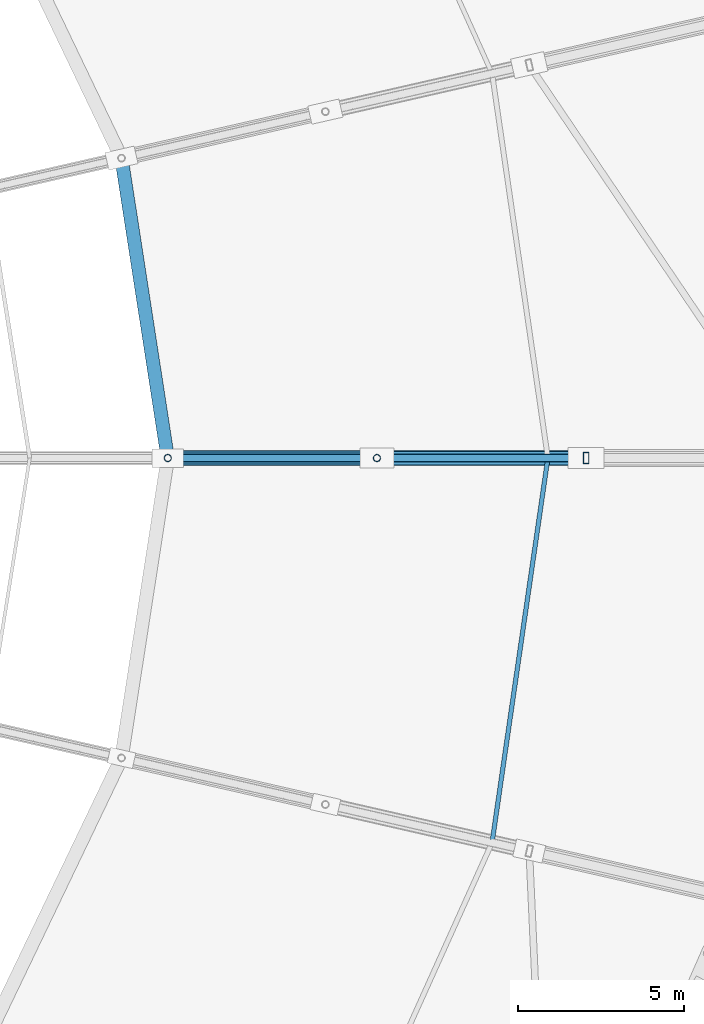
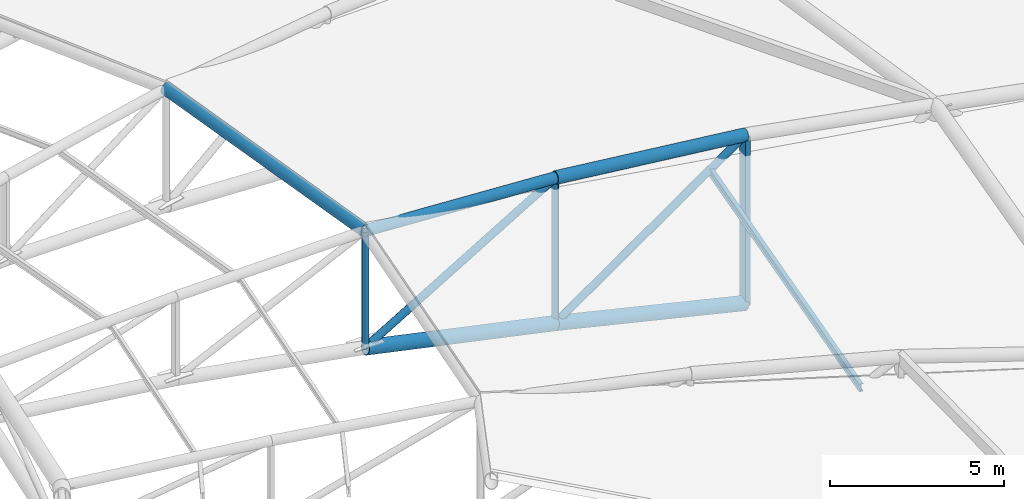
# One storey, part 71 of 108: 11 members.
"""IFC4 building model written with IfcOpenShell, lengths in metres."""

from ifc_helpers import new_model, si_unit, direction, frame, origin, origin_2d, place, context, subcontext, project, spatial, hollow_rectangle, hollow_circle, i_section, extrude, material, material_profile, profile_set, type_object, element, save


model = new_model("IFC4")

# Units and contexts
model_context = context("Model", 3, precision=1e-05, world=origin(), true_north=direction((0.0, 1.0)))
body_context = subcontext(model_context, "Body", "Model", "MODEL_VIEW")
ifc_project = project(units=[si_unit("LENGTHUNIT", "METRE"), si_unit("AREAUNIT", "SQUARE_METRE"), si_unit("VOLUMEUNIT", "CUBIC_METRE"), si_unit("PLANEANGLEUNIT", "RADIAN"), si_unit("MASSUNIT", "GRAM", prefix="KILO")], contexts=[model_context])

# Site, building, storey
site_placement = place(None, origin())
site = spatial("IfcSite", under=ifc_project, at=site_placement, CompositionType="ELEMENT")
building_placement = place(site_placement, origin())
building = spatial("IfcBuilding", under=site, at=building_placement, Name="Zevraka Park Crest Stadium", CompositionType="ELEMENT")
storey_placement = place(building_placement, frame((0.0, 0.0, 29.39990234375)))
storey = spatial("IfcBuildingStorey", under=building, at=storey_placement, Name="RF", CompositionType="ELEMENT", Elevation=29.39990234375)

# Members
ifc_material_1 = material(Name="Steel S355", Category="steel")
ifc_material_profile_1 = material_profile(ifc_material_1, i_section(OverallWidth=0.135009765625, OverallDepth=0.27001953125, WebThickness=0.006591796875, FlangeThickness=0.01025390625, at=origin_2d()), Name="IPE 270")
ifc_profile_set_1 = profile_set([ifc_material_profile_1], Name="Steel S355")
member_type_1 = type_object("IfcMemberType", Name="PR04", PredefinedType="PURLIN", material=ifc_profile_set_1)
member_1_placement = place(storey_placement, frame((177.3701171875, 80.41796875, 7.488037109375), z_axis=(0.143625982386, 0.989632041308, 0.0), x_axis=(-0.989632041308, 0.143625982386, 0.0)))
element("IfcMember", 1, at=member_1_placement, inside=storey, type_object=member_type_1, Name="Canopy Roof Purlin PR04 OUTER-28-2", PredefinedType="PURLIN", context=body_context, shape_type="SweptSolid", body=[
    extrude(i_section(OverallWidth=0.135009765625, OverallDepth=0.27001953125, WebThickness=0.006591796875, FlangeThickness=0.01025390625, at=origin_2d()), origin(), (0.0, 0.0, 1.0), 11.703369140625),
])
ifc_material_2 = material(Name="Steel S355", Category="steel")
ifc_material_profile_2 = material_profile(ifc_material_2, hollow_circle(Radius=0.228515625, WallThickness=0.02490234375, at=origin_2d()), Name="CHS 457.0x25")
ifc_profile_set_2 = profile_set([ifc_material_profile_2], Name="Steel S355")
member_type_2 = type_object("IfcMemberType", Name="TC02", PredefinedType="CHORD", material=ifc_profile_set_2)
member_2_placement = place(storey_placement, frame((180.199951171875, 92.0, 2.4501953125), z_axis=(-0.972806619173, 0.0, 0.231618828452), x_axis=(0.0, -1.0, 0.0)))
element("IfcMember", 2, at=member_2_placement, inside=storey, type_object=member_type_2, Name="Roof Truss Bottom Chord TC02 T01-4", PredefinedType="CHORD", context=body_context, shape_type="SweptSolid", body=[
    extrude(hollow_circle(Radius=0.228515625, WallThickness=0.02490234375, at=origin_2d()), origin(), (0.0, 0.0, 1.0), 6.47607421875),
])
member_3_placement = place(storey_placement, frame((173.89990234375, 92.0, 3.9501953125), z_axis=(-0.977805741195, 0.0, 0.209513561582), x_axis=(0.0, -1.0, 0.0)))
element("IfcMember", 3, at=member_3_placement, inside=storey, type_object=member_type_2, Name="Roof Truss Bottom Chord TC02 T01-5", PredefinedType="CHORD", context=body_context, shape_type="SweptSolid", body=[
    extrude(hollow_circle(Radius=0.228515625, WallThickness=0.02490234375, at=origin_2d()), origin(), (0.0, 0.0, 1.0), 6.44287109375),
])
ifc_material_3 = material(Name="Steel S355", Category="steel")
ifc_material_profile_3 = material_profile(ifc_material_3, hollow_circle(Radius=0.203125, WallThickness=0.02001953125, at=origin_2d()), Name="CHS 406.4x20")
ifc_profile_set_3 = profile_set([ifc_material_profile_3], Name="Steel S355")
member_type_3 = type_object("IfcMemberType", Name="TC03", PredefinedType="CHORD", material=ifc_profile_set_3)
member_4_placement = place(storey_placement, frame((180.199951171875, 92.0, 8.35009765625), z_axis=(-0.993884674033, 0.0, 0.110423071515), x_axis=(0.0, -1.0, 0.0)))
element("IfcMember", 4, at=member_4_placement, inside=storey, type_object=member_type_3, Name="Roof Truss Top Chord TC03 T01-4", PredefinedType="CHORD", context=body_context, shape_type="SweptSolid", body=[
    extrude(hollow_circle(Radius=0.203125, WallThickness=0.02001953125, at=origin_2d()), origin(), (0.0, 0.0, 1.0), 6.3388671875),
])
member_5_placement = place(storey_placement, frame((167.60009765625, 92.0, 9.400146484375), z_axis=(-0.152506739427, 0.98830243065, 0.0), x_axis=(-0.98830243065, -0.152506739427, 0.0)))
element("IfcMember", 5, at=member_5_placement, inside=storey, type_object=member_type_3, Name="Roof Canopy Arch Crown Ring Chord TC03 01", PredefinedType="CHORD", context=body_context, shape_type="SweptSolid", body=[
    extrude(hollow_circle(Radius=0.203125, WallThickness=0.02001953125, at=origin_2d()), origin(), (0.0, 0.0, 1.0), 9.140869140625),
])
ifc_material_4 = material(Name="Steel S355", Category="steel")
ifc_material_profile_4 = material_profile(ifc_material_4, hollow_circle(Radius=0.177734375, WallThickness=0.01611328125, at=origin_2d()), Name="CHS 355.6x16")
ifc_profile_set_4 = profile_set([ifc_material_profile_4], Name="Steel S355")
member_type_4 = type_object("IfcMemberType", Name="TC05", PredefinedType="CHORD", material=ifc_profile_set_4)
member_6_placement = place(storey_placement, frame((173.89990234375, 92.0, 9.050048828125), z_axis=(-0.998459400591, 0.0, 0.055487164023), x_axis=(0.0, -1.0, 0.0)))
element("IfcMember", 6, at=member_6_placement, inside=storey, type_object=member_type_4, Name="Roof Truss Top Chord TC05 T01-5", PredefinedType="CHORD", context=body_context, shape_type="SweptSolid", body=[
    extrude(hollow_circle(Radius=0.177734375, WallThickness=0.01611328125, at=origin_2d()), origin(), (0.0, 0.0, 1.0), 6.3095703125),
])
ifc_material_5 = material(Name="Steel S355", Category="steel")
ifc_material_profile_5 = material_profile(ifc_material_5, hollow_circle(Radius=0.109619140625, WallThickness=0.010009765625, at=origin_2d()), Name="CHS 219.1x10")
ifc_profile_set_5 = profile_set([ifc_material_profile_5], Name="Steel S355")
member_type_5 = type_object("IfcMemberType", Name="WB02", PredefinedType="BRACE", material=ifc_profile_set_5)
member_7_placement = place(storey_placement, frame((173.89990234375, 92.0, 3.9501953125), z_axis=(0.0, 0.0, 1.0), x_axis=(1.0, 0.0, 0.0)))
element("IfcMember", 7, at=member_7_placement, inside=storey, type_object=member_type_5, Name="Roof Truss Web Post WB02 T01-4", PredefinedType="BRACE", context=body_context, shape_type="SweptSolid", body=[
    extrude(hollow_circle(Radius=0.109619140625, WallThickness=0.010009765625, at=origin_2d()), origin(), (0.0, 0.0, 1.0), 5.099853515625),
])
member_8_placement = place(storey_placement, frame((167.60009765625, 92.0, 5.300048828125), z_axis=(0.0, 0.0, 1.0), x_axis=(1.0, 0.0, 0.0)))
element("IfcMember", 8, at=member_8_placement, inside=storey, type_object=member_type_5, Name="Roof Truss Web Post WB02 T01-5", PredefinedType="BRACE", context=body_context, shape_type="SweptSolid", body=[
    extrude(hollow_circle(Radius=0.109619140625, WallThickness=0.010009765625, at=origin_2d()), origin(), (0.0, 0.0, 1.0), 4.10009765625),
])
ifc_material_6 = material(Name="Steel S355", Category="steel")
ifc_material_profile_6 = material_profile(ifc_material_6, hollow_circle(Radius=0.122314453125, WallThickness=0.012451171875, at=origin_2d()), Name="CHS 244.5x12.5")
ifc_profile_set_6 = profile_set([ifc_material_profile_6], Name="Steel S355")
member_type_6 = type_object("IfcMemberType", Name="WB07", PredefinedType="BRACE", material=ifc_profile_set_6)
member_9_placement = place(storey_placement, frame((173.89990234375, 92.0, 3.9501953125), z_axis=(0.819850870655, 0.0, 0.572577112612), x_axis=(0.0, 1.0, 0.0)))
element("IfcMember", 9, at=member_9_placement, inside=storey, type_object=member_type_6, Name="Roof Truss Web Diagonal WB07 T01-4", PredefinedType="BRACE", context=body_context, shape_type="SweptSolid", body=[
    extrude(hollow_circle(Radius=0.122314453125, WallThickness=0.012451171875, at=origin_2d()), origin(), (0.0, 0.0, 1.0), 7.684326171875),
])
member_10_placement = place(storey_placement, frame((167.60009765625, 92.0, 5.300048828125), z_axis=(0.859285914784, 0.0, 0.511495568558), x_axis=(0.0, 1.0, 0.0)))
element("IfcMember", 10, at=member_10_placement, inside=storey, type_object=member_type_6, Name="Roof Truss Web Diagonal WB07 T01-5", PredefinedType="BRACE", context=body_context, shape_type="SweptSolid", body=[
    extrude(hollow_circle(Radius=0.122314453125, WallThickness=0.012451171875, at=origin_2d()), origin(), (0.0, 0.0, 1.0), 7.33154296875),
])
ifc_material_7 = material(Name="Steel S355", Category="steel")
ifc_material_profile_7 = material_profile(ifc_material_7, hollow_rectangle(XDim=0.175048828125, YDim=0.35009765625, WallThickness=0.012451171875, at=origin_2d()), Name="RHS 350x175x12.5")
ifc_profile_set_7 = profile_set([ifc_material_profile_7], Name="Steel S355")
member_type_7 = type_object("IfcMemberType", Name="WB09", PredefinedType="BRACE", material=ifc_profile_set_7)
member_11_placement = place(storey_placement, frame((180.199951171875, 92.0, 2.4501953125), z_axis=(0.0, 0.0, 1.0), x_axis=(1.0, 0.0, 0.0)))
element("IfcMember", 11, at=member_11_placement, inside=storey, type_object=member_type_7, Name="Roof Truss Web Post WB09 T01-3", PredefinedType="BRACE", context=body_context, shape_type="SweptSolid", body=[
    extrude(hollow_rectangle(XDim=0.175048828125, YDim=0.35009765625, WallThickness=0.012451171875, at=origin_2d()), origin(), (0.0, 0.0, 1.0), 5.89990234375),
])

save(model, "model.ifc")
